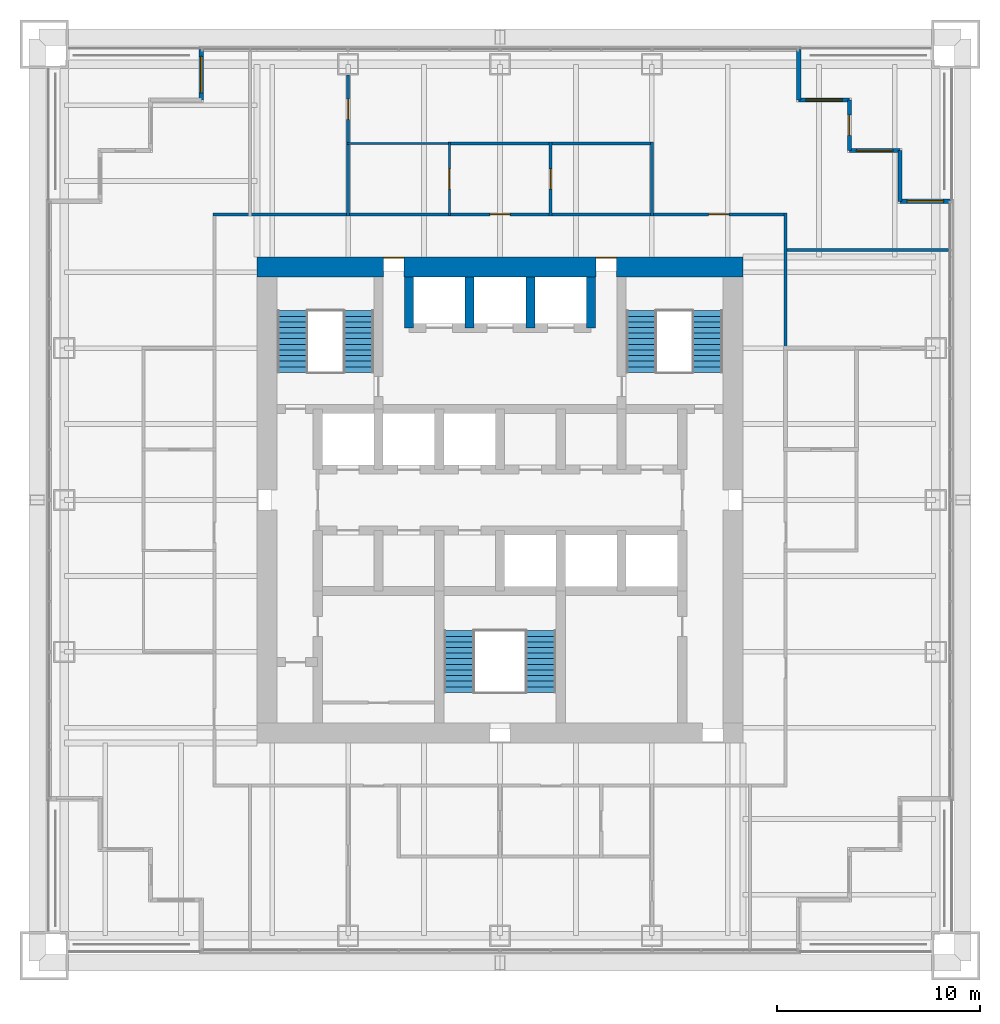
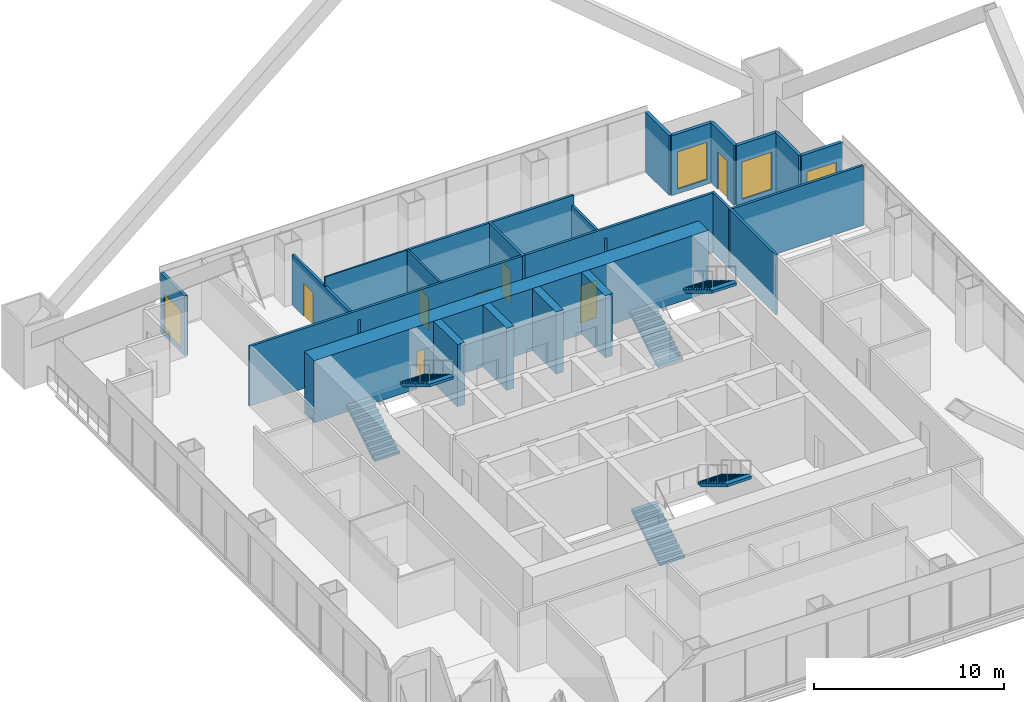
# One storey, part 17 of 19: 21 walls, 8 doors, 6 stair flights, 4 windows, 12 openings, 3 elements without a shape of their own.
"""IFC4 building model written with IfcOpenShell, lengths in metres."""

from ifc_helpers import new_model, si_unit, direction, frame, frame_2d, origin, place, context, subcontext, project, spatial, polyline, rectangle, outline, extrude, material, layer, layer_set, type_object, element, fill, aggregate, save


model = new_model("IFC4")

# Units and contexts
model_context = context("Model", 3, precision=1e-05, world=origin(), true_north=direction((0.0, 1.0)))
body_context = subcontext(model_context, "Body", "Model", "MODEL_VIEW")
ifc_project = project(units=[si_unit("LENGTHUNIT", "METRE"), si_unit("AREAUNIT", "SQUARE_METRE"), si_unit("VOLUMEUNIT", "CUBIC_METRE"), si_unit("PLANEANGLEUNIT", "RADIAN"), si_unit("MASSUNIT", "GRAM", prefix="KILO")], contexts=[model_context])

# Site, building, storey
site_placement = place(None, origin())
site = spatial("IfcSite", under=ifc_project, at=site_placement, CompositionType="ELEMENT")
building_placement = place(site_placement, origin())
building = spatial("IfcBuilding", under=site, at=building_placement, Name="Tarangal Relay Tower", CompositionType="ELEMENT")
storey_placement = place(building_placement, frame((0.0, 0.0, 213.89990234375)))
storey = spatial("IfcBuildingStorey", under=building, at=storey_placement, Name="L45", CompositionType="ELEMENT", Elevation=213.89990234375)

# Walls
ifc_material_1 = material(Name="Concrete fc' 60 MPa", Category="concrete")
ifc_layer_1 = layer(ifc_material_1, 0.449951171875)
ifc_layer_set_1 = layer_set([ifc_layer_1], Name="Core inner wall 450")
wall_type_1 = type_object("IfcWallType", Name="Core inner wall 450", PredefinedType="SHEAR", material=ifc_layer_set_1)
for number, where, z_axis, x_axis, name in (
    (1, (-4.5, 8.5, 0.0), (0.0, 0.0, 1.0), (0.0, 1.0, 0.0), "Core wall XM45 L45"),
    (2, (4.5, 8.5, 0.0), (0.0, 0.0, 1.0), (0.0, 1.0, 0.0), "Core wall X45 L45"),
    (3, (-1.5, 8.5, 0.0), (0.0, 0.0, 1.0), (0.0, 1.0, 0.0), "Core wall XM15 L45"),
    (4, (1.5, 8.5, 0.0), (0.0, 0.0, 1.0), (0.0, 1.0, 0.0), "Core wall X15 L45"),
):
    element("IfcWall", number, at=place(storey_placement, frame(where, z_axis=z_axis, x_axis=x_axis)), inside=storey, type_object=wall_type_1, Name=name, PredefinedType="SHEAR", context=body_context, shape_type="SweptSolid", body=[
        extrude(rectangle(XDim=2.5, YDim=0.449951171875, at=frame_2d((1.25, 0.0))), origin(), (0.0, 0.0, 1.0), 4.0),
    ])

# Wall, openings, doors
ifc_layer_2 = layer(ifc_material_1, 1.0)
ifc_layer_set_2 = layer_set([ifc_layer_2], Name="Core wall 1000")
wall_type_2 = type_object("IfcWallType", Name="Core wall 1000", PredefinedType="SHEAR", material=ifc_layer_set_2)
wall_1_placement = place(storey_placement, frame((-12.0, 11.5, 0.0), z_axis=(0.0, 0.0, 1.0), x_axis=(1.0, 0.0, 0.0)))
wall_1 = element("IfcWall", 5, at=wall_1_placement, inside=storey, type_object=wall_type_2, Name="Core wall N L45", PredefinedType="SHEAR", context=body_context, shape_type="SweptSolid", body=[
    extrude(rectangle(XDim=24.0, YDim=1.0, at=frame_2d((12.0, 0.0))), origin(), (0.0, 0.0, 1.0), 4.0),
])
opening_1_placement = place(wall_1_placement, frame((6.25, 0.0, 0.0)))
opening_1 = element("IfcOpeningElement", 6, at=opening_1_placement, cuts=wall_1, Name="Opening FD3", PredefinedType="OPENING", context=body_context, shape_type="SweptSolid", body=[
    extrude(rectangle(XDim=1.0, YDim=2.39990234375, at=frame_2d((0.5, 1.199951171875))), frame((0.0, 0.510009765625, 0.0), z_axis=(0.0, -1.0, 0.0), x_axis=(1.0, 0.0, 0.0)), (0.0, 0.0, 1.0), 1.02001953125),
])
opening_2_placement = place(wall_1_placement, frame((16.75, 0.0, 0.0)))
opening_2 = element("IfcOpeningElement", 7, at=opening_2_placement, cuts=wall_1, Name="Opening FD3", PredefinedType="OPENING", context=body_context, shape_type="SweptSolid", body=[
    extrude(rectangle(XDim=1.0, YDim=2.39990234375, at=frame_2d((0.5, 1.199951171875))), frame((0.0, 0.510009765625, 0.0), z_axis=(0.0, -1.0, 0.0), x_axis=(1.0, 0.0, 0.0)), (0.0, 0.0, 1.0), 1.02001953125),
])
ifc_material_2 = material(Name="Steel door with hardwood frame", Category="steel")
door_type_1 = type_object("IfcDoorType", Name="Fire door 1000 x 2400 core entry", OperationType="SINGLE_SWING_RIGHT", PredefinedType="DOOR", material=ifc_material_2)
door_1_placement = place(opening_1_placement, origin())
door_1 = element("IfcDoor", 8, at=door_1_placement, inside=storey, type_object=door_type_1, Name="Core entry door north west L45", OperationType="SINGLE_SWING_RIGHT", OverallHeight=2.39990234375, OverallWidth=1.0, PredefinedType="DOOR", context=body_context, shape_type="SweptSolid", body=[
    extrude(rectangle(XDim=1.0, YDim=2.39990234375, at=frame_2d((0.5, 1.199951171875))), frame((0.0, 0.48486328125, 0.0), z_axis=(0.0, -1.0, 0.0), x_axis=(1.0, 0.0, 0.0)), (0.0, 0.0, 1.0), 0.050048828125),
])
fill(opening_1, door_1)
door_2_placement = place(opening_2_placement, origin())
door_2 = element("IfcDoor", 9, at=door_2_placement, inside=storey, type_object=door_type_1, Name="Core entry door north east L45", OperationType="SINGLE_SWING_RIGHT", OverallHeight=2.39990234375, OverallWidth=1.0, PredefinedType="DOOR", context=body_context, shape_type="SweptSolid", body=[
    extrude(rectangle(XDim=1.0, YDim=2.39990234375, at=frame_2d((0.5, 1.199951171875))), frame((0.0, 0.48486328125, 0.0), z_axis=(0.0, -1.0, 0.0), x_axis=(1.0, 0.0, 0.0)), (0.0, 0.0, 1.0), 0.050048828125),
])
fill(opening_2, door_2)

# Wall
ifc_material_3 = material(Name="Black metal clad insulated wall", Category="steel")
ifc_layer_3 = layer(ifc_material_3, 0.199951171875)
ifc_layer_set_3 = layer_set([ifc_layer_3], Name="Corner wall metal clad 200")
wall_type_3 = type_object("IfcWallType", Name="Corner wall metal clad 200", PredefinedType="SOLIDWALL", material=ifc_layer_set_3)
wall_2_placement = place(storey_placement, frame((14.75, 22.25, 0.0), z_axis=(0.0, 0.0, 1.0), x_axis=(0.0, -1.0, 0.0)))
element("IfcWall", 10, at=wall_2_placement, inside=storey, type_object=wall_type_3, Name="Facade wall N facade L45", PredefinedType="SOLIDWALL", context=body_context, shape_type="SweptSolid", body=[
    extrude(rectangle(XDim=2.5, YDim=0.199951171875, at=frame_2d((1.25, 0.0))), origin(), (0.0, 0.0, 1.0), 3.85009765625),
])

# Wall, opening, window
wall_3_placement = place(storey_placement, frame((14.75, 19.75, 0.0), z_axis=(0.0, 0.0, 1.0), x_axis=(1.0, 0.0, 0.0)))
wall_3 = element("IfcWall", 11, at=wall_3_placement, inside=storey, type_object=wall_type_3, Name="Facade wall N facade L45", PredefinedType="SOLIDWALL", context=body_context, shape_type="SweptSolid", body=[
    extrude(rectangle(XDim=2.5, YDim=0.199951171875, at=frame_2d((1.25, 0.0))), origin(), (0.0, 0.0, 1.0), 3.85009765625),
])
opening_3_placement = place(wall_3_placement, frame((0.35009765625, 0.0, 0.300048828125)))
opening_3 = element("IfcOpeningElement", 12, at=opening_3_placement, cuts=wall_3, Name="Opening WN2", PredefinedType="OPENING", context=body_context, shape_type="SweptSolid", body=[
    extrude(rectangle(XDim=1.800048828125, YDim=2.39990234375, at=frame_2d((0.89990234375, 1.199951171875))), frame((0.0, 0.10986328125, 0.0), z_axis=(0.0, -1.0, 0.0), x_axis=(1.0, 0.0, 0.0)), (0.0, 0.0, 1.0), 0.219970703125),
])
ifc_material_4 = material(Name="Dark tinted double glazing in black aluminium frame", Category="aluminium")
window_type = type_object("IfcWindowType", Name="Corner window 1800 x 2400", PartitioningType="SINGLE_PANEL", PredefinedType="WINDOW", material=ifc_material_4)
window_1_placement = place(opening_3_placement, origin())
window_1 = element("IfcWindow", 13, at=window_1_placement, inside=storey, type_object=window_type, Name="Corner window WN2 N facade L45", OverallHeight=2.39990234375, OverallWidth=1.800048828125, PartitioningType="SINGLE_PANEL", PredefinedType="WINDOW", context=body_context, shape_type="SweptSolid", body=[
    extrude(rectangle(XDim=1.800048828125, YDim=2.39990234375, at=frame_2d((0.89990234375, 1.199951171875))), frame((0.0, 0.030029296875, 0.0), z_axis=(0.0, -1.0, 0.0), x_axis=(1.0, 0.0, 0.0)), (0.0, 0.0, 1.0), 0.06005859375),
])
fill(opening_3, window_1)

# Wall, opening, door
wall_4_placement = place(storey_placement, frame((17.25, 19.75, 0.0), z_axis=(0.0, 0.0, 1.0), x_axis=(0.0, -1.0, 0.0)))
wall_4 = element("IfcWall", 14, at=wall_4_placement, inside=storey, type_object=wall_type_3, Name="Facade wall N facade L45", PredefinedType="SOLIDWALL", context=body_context, shape_type="SweptSolid", body=[
    extrude(rectangle(XDim=2.5, YDim=0.199951171875, at=frame_2d((1.25, 0.0))), origin(), (0.0, 0.0, 1.0), 3.85009765625),
])
opening_4_placement = place(wall_4_placement, frame((0.75, 0.0, 0.0)))
opening_4 = element("IfcOpeningElement", 15, at=opening_4_placement, cuts=wall_4, Name="Opening TD1", PredefinedType="OPENING", context=body_context, shape_type="SweptSolid", body=[
    extrude(rectangle(XDim=1.0, YDim=2.39990234375, at=frame_2d((0.5, 1.199951171875))), frame((0.0, 0.10986328125, 0.0), z_axis=(0.0, -1.0, 0.0), x_axis=(1.0, 0.0, 0.0)), (0.0, 0.0, 1.0), 0.219970703125),
])
ifc_material_5 = material(Name="Aluminium glazed door", Category="aluminium")
door_type_2 = type_object("IfcDoorType", Name="Terrace door 1000 x 2400", OperationType="SINGLE_SWING_RIGHT", PredefinedType="DOOR", material=ifc_material_5)
door_3_placement = place(opening_4_placement, origin())
door_3 = element("IfcDoor", 16, at=door_3_placement, inside=storey, type_object=door_type_2, Name="Terrace door TD1 NE L45", OperationType="SINGLE_SWING_RIGHT", OverallHeight=2.39990234375, OverallWidth=1.0, PredefinedType="DOOR", context=body_context, shape_type="SweptSolid", body=[
    extrude(rectangle(XDim=1.0, YDim=2.39990234375, at=frame_2d((0.5, 1.199951171875))), frame((0.0, 0.02490234375, 0.0), z_axis=(0.0, -1.0, 0.0), x_axis=(1.0, 0.0, 0.0)), (0.0, 0.0, 1.0), 0.050048828125),
])
fill(opening_4, door_3)

# Wall, opening, window
wall_5_placement = place(storey_placement, frame((17.25, 17.25, 0.0), z_axis=(0.0, 0.0, 1.0), x_axis=(1.0, 0.0, 0.0)))
wall_5 = element("IfcWall", 17, at=wall_5_placement, inside=storey, type_object=wall_type_3, Name="Facade wall N facade L45", PredefinedType="SOLIDWALL", context=body_context, shape_type="SweptSolid", body=[
    extrude(rectangle(XDim=2.5, YDim=0.199951171875, at=frame_2d((1.25, 0.0))), origin(), (0.0, 0.0, 1.0), 3.85009765625),
])
opening_5_placement = place(wall_5_placement, frame((0.35009765625, 0.0, 0.300048828125)))
opening_5 = element("IfcOpeningElement", 18, at=opening_5_placement, cuts=wall_5, Name="Opening WN2", PredefinedType="OPENING", context=body_context, shape_type="SweptSolid", body=[
    extrude(rectangle(XDim=1.800048828125, YDim=2.39990234375, at=frame_2d((0.89990234375, 1.199951171875))), frame((0.0, 0.10986328125, 0.0), z_axis=(0.0, -1.0, 0.0), x_axis=(1.0, 0.0, 0.0)), (0.0, 0.0, 1.0), 0.219970703125),
])
window_2_placement = place(opening_5_placement, origin())
window_2 = element("IfcWindow", 19, at=window_2_placement, inside=storey, type_object=window_type, Name="Corner window WN2 N facade L45", OverallHeight=2.39990234375, OverallWidth=1.800048828125, PartitioningType="SINGLE_PANEL", PredefinedType="WINDOW", context=body_context, shape_type="SweptSolid", body=[
    extrude(rectangle(XDim=1.800048828125, YDim=2.39990234375, at=frame_2d((0.89990234375, 1.199951171875))), frame((0.0, 0.030029296875, 0.0), z_axis=(0.0, -1.0, 0.0), x_axis=(1.0, 0.0, 0.0)), (0.0, 0.0, 1.0), 0.06005859375),
])
fill(opening_5, window_2)

# Wall
wall_6_placement = place(storey_placement, frame((19.75, 17.25, 0.0), z_axis=(0.0, 0.0, 1.0), x_axis=(0.0, -1.0, 0.0)))
element("IfcWall", 20, at=wall_6_placement, inside=storey, type_object=wall_type_3, Name="Facade wall N facade L45", PredefinedType="SOLIDWALL", context=body_context, shape_type="SweptSolid", body=[
    extrude(rectangle(XDim=2.5, YDim=0.199951171875, at=frame_2d((1.25, 0.0))), origin(), (0.0, 0.0, 1.0), 3.85009765625),
])

# Wall, opening, window
wall_7_placement = place(storey_placement, frame((19.75, 14.75, 0.0), z_axis=(0.0, 0.0, 1.0), x_axis=(1.0, 0.0, 0.0)))
wall_7 = element("IfcWall", 21, at=wall_7_placement, inside=storey, type_object=wall_type_3, Name="Facade wall N facade L45", PredefinedType="SOLIDWALL", context=body_context, shape_type="SweptSolid", body=[
    extrude(rectangle(XDim=2.5, YDim=0.199951171875, at=frame_2d((1.25, 0.0))), origin(), (0.0, 0.0, 1.0), 3.85009765625),
])
opening_6_placement = place(wall_7_placement, frame((0.35009765625, 0.0, 0.300048828125)))
opening_6 = element("IfcOpeningElement", 22, at=opening_6_placement, cuts=wall_7, Name="Opening WN2", PredefinedType="OPENING", context=body_context, shape_type="SweptSolid", body=[
    extrude(rectangle(XDim=1.800048828125, YDim=2.39990234375, at=frame_2d((0.89990234375, 1.199951171875))), frame((0.0, 0.10986328125, 0.0), z_axis=(0.0, -1.0, 0.0), x_axis=(1.0, 0.0, 0.0)), (0.0, 0.0, 1.0), 0.219970703125),
])
window_3_placement = place(opening_6_placement, origin())
window_3 = element("IfcWindow", 23, at=window_3_placement, inside=storey, type_object=window_type, Name="Corner window WN2 N facade L45", OverallHeight=2.39990234375, OverallWidth=1.800048828125, PartitioningType="SINGLE_PANEL", PredefinedType="WINDOW", context=body_context, shape_type="SweptSolid", body=[
    extrude(rectangle(XDim=1.800048828125, YDim=2.39990234375, at=frame_2d((0.89990234375, 1.199951171875))), frame((0.0, 0.030029296875, 0.0), z_axis=(0.0, -1.0, 0.0), x_axis=(1.0, 0.0, 0.0)), (0.0, 0.0, 1.0), 0.06005859375),
])
fill(opening_6, window_3)

wall_8_placement = place(storey_placement, frame((-14.75, 19.75, 0.0), z_axis=(0.0, 0.0, 1.0), x_axis=(0.0, 1.0, 0.0)))
wall_8 = element("IfcWall", 24, at=wall_8_placement, inside=storey, type_object=wall_type_3, Name="Facade wall W facade L45", PredefinedType="SOLIDWALL", context=body_context, shape_type="SweptSolid", body=[
    extrude(rectangle(XDim=2.5, YDim=0.199951171875, at=frame_2d((1.25, 0.0))), origin(), (0.0, 0.0, 1.0), 3.85009765625),
])
opening_7_placement = place(wall_8_placement, frame((0.35009765625, 0.0, 0.300048828125)))
opening_7 = element("IfcOpeningElement", 25, at=opening_7_placement, cuts=wall_8, Name="Opening WN2", PredefinedType="OPENING", context=body_context, shape_type="SweptSolid", body=[
    extrude(rectangle(XDim=1.800048828125, YDim=2.39990234375, at=frame_2d((0.89990234375, 1.199951171875))), frame((0.0, 0.10986328125, 0.0), z_axis=(0.0, -1.0, 0.0), x_axis=(1.0, 0.0, 0.0)), (0.0, 0.0, 1.0), 0.219970703125),
])
window_4_placement = place(opening_7_placement, origin())
window_4 = element("IfcWindow", 26, at=window_4_placement, inside=storey, type_object=window_type, Name="Corner window WN2 W facade L45", OverallHeight=2.39990234375, OverallWidth=1.800048828125, PartitioningType="SINGLE_PANEL", PredefinedType="WINDOW", context=body_context, shape_type="SweptSolid", body=[
    extrude(rectangle(XDim=1.800048828125, YDim=2.39990234375, at=frame_2d((0.89990234375, 1.199951171875))), frame((0.0, 0.030029296875, 0.0), z_axis=(0.0, -1.0, 0.0), x_axis=(1.0, 0.0, 0.0)), (0.0, 0.0, 1.0), 0.06005859375),
])
fill(opening_7, window_4)

# Wall
ifc_material_6 = material(Name="Double glazed aluminium framed partition", Category="aluminium")
ifc_layer_4 = layer(ifc_material_6, 0.10009765625)
ifc_layer_set_4 = layer_set([ifc_layer_4], Name="Glazed partition 100")
wall_type_4 = type_object("IfcWallType", Name="Glazed partition 100", PredefinedType="PARTITIONING", material=ifc_layer_set_4)
wall_9_placement = place(storey_placement, frame((-7.550048828125, 17.60009765625, 0.0), z_axis=(0.0, 0.0, 1.0), x_axis=(1.0, 0.0, 0.0)))
element("IfcWall", 27, at=wall_9_placement, inside=storey, type_object=wall_type_4, Name="Partition PT3 L45", PredefinedType="PARTITIONING", context=body_context, shape_type="SweptSolid", body=[
    extrude(rectangle(XDim=5.10009765625, YDim=0.10009765625, at=frame_2d((2.550048828125, 0.0))), origin(), (0.0, 0.0, 1.0), 3.85009765625),
])

# Wall, opening, door
wall_10_placement = place(storey_placement, frame((-2.5, 14.050048828125, 0.0), z_axis=(0.0, 0.0, 1.0), x_axis=(0.0, 1.0, 0.0)))
wall_10 = element("IfcWall", 28, at=wall_10_placement, inside=storey, type_object=wall_type_4, Name="Partition PT3 L45", PredefinedType="PARTITIONING", context=body_context, shape_type="SweptSolid", body=[
    extrude(rectangle(XDim=3.599853515625, YDim=0.10009765625, at=frame_2d((1.7998046875, 0.0))), origin(), (0.0, 0.0, 1.0), 3.85009765625),
])
opening_8_placement = place(wall_10_placement, frame((1.300048828125, 0.0, 0.0)))
opening_8 = element("IfcOpeningElement", 29, at=opening_8_placement, cuts=wall_10, Name="Opening D3", PredefinedType="OPENING", context=body_context, shape_type="SweptSolid", body=[
    extrude(rectangle(XDim=1.0, YDim=2.10009765625, at=frame_2d((0.5, 1.050048828125))), frame((0.0, 0.06005859375, 0.0), z_axis=(0.0, -1.0, 0.0), x_axis=(1.0, 0.0, 0.0)), (0.0, 0.0, 1.0), 0.1201171875),
])
ifc_material_7 = material(Name="Frameless glass door", Category="glass")
door_type_3 = type_object("IfcDoorType", Name="Glazed door 1000 x 2100", OperationType="SINGLE_SWING_LEFT", PredefinedType="DOOR", material=ifc_material_7)
door_4_placement = place(opening_8_placement, origin())
door_4 = element("IfcDoor", 30, at=door_4_placement, inside=storey, type_object=door_type_3, Name="Door D3 to meeting room L45-03", OperationType="SINGLE_SWING_LEFT", OverallHeight=2.10009765625, OverallWidth=1.0, PredefinedType="DOOR", context=body_context, shape_type="SweptSolid", body=[
    extrude(rectangle(XDim=1.0, YDim=2.10009765625, at=frame_2d((0.5, 1.050048828125))), frame((0.0, 0.02490234375, 0.0), z_axis=(0.0, -1.0, 0.0), x_axis=(1.0, 0.0, 0.0)), (0.0, 0.0, 1.0), 0.050048828125),
])
fill(opening_8, door_4)

# Wall
ifc_material_8 = material(Name="Gypsum board on steel studs", Category="steel")
ifc_layer_5 = layer(ifc_material_8, 0.14990234375)
ifc_layer_set_5 = layer_set([ifc_layer_5], Name="Partition 150")
wall_type_5 = type_object("IfcWallType", Name="Partition 150", PredefinedType="PARTITIONING", material=ifc_layer_set_5)
wall_11_placement = place(storey_placement, frame((14.02490234375, 12.3330078125, 0.0), z_axis=(0.0, 0.0, 1.0), x_axis=(1.0, 0.0, 0.0)))
element("IfcWall", 31, at=wall_11_placement, inside=storey, type_object=wall_type_5, Name="Partition PT1 L45", PredefinedType="PARTITIONING", context=body_context, shape_type="SweptSolid", body=[
    extrude(rectangle(XDim=8.125, YDim=0.14990234375, at=frame_2d((4.0625, 0.0))), origin(), (0.0, 0.0, 1.0), 3.85009765625),
])

# Wall, openings, doors
wall_12_placement = place(storey_placement, frame((-14.175048828125, 14.10009765625, 0.0), z_axis=(0.0, 0.0, 1.0), x_axis=(1.0, 0.0, 0.0)))
wall_12 = element("IfcWall", 32, at=wall_12_placement, inside=storey, type_object=wall_type_5, Name="Partition PT1 L45", PredefinedType="PARTITIONING", context=body_context, shape_type="SweptSolid", body=[
    extrude(rectangle(XDim=28.35009765625, YDim=0.14990234375, at=frame_2d((14.175048828125, 0.0))), origin(), (0.0, 0.0, 1.0), 3.85009765625),
])
opening_9_placement = place(wall_12_placement, frame((13.675048828125, 0.0, 0.0)))
opening_9 = element("IfcOpeningElement", 33, at=opening_9_placement, cuts=wall_12, Name="Opening SD1", PredefinedType="OPENING", context=body_context, shape_type="SweptSolid", body=[
    extrude(rectangle(XDim=1.0, YDim=2.39990234375, at=frame_2d((0.5, 1.199951171875))), frame((0.0, 0.0849609375, 0.0), z_axis=(0.0, -1.0, 0.0), x_axis=(1.0, 0.0, 0.0)), (0.0, 0.0, 1.0), 0.169921875),
])
opening_10_placement = place(wall_12_placement, frame((24.47509765625, 0.0, 0.0)))
opening_10 = element("IfcOpeningElement", 34, at=opening_10_placement, cuts=wall_12, Name="Opening SD1", PredefinedType="OPENING", context=body_context, shape_type="SweptSolid", body=[
    extrude(rectangle(XDim=1.0, YDim=2.39990234375, at=frame_2d((0.5, 1.199951171875))), frame((0.0, 0.0849609375, 0.0), z_axis=(0.0, -1.0, 0.0), x_axis=(1.0, 0.0, 0.0)), (0.0, 0.0, 1.0), 0.169921875),
])
door_type_4 = type_object("IfcDoorType", Name="Suite entrance door 1000 x 2400", OperationType="SINGLE_SWING_RIGHT", PredefinedType="DOOR", material=ifc_material_2)
door_5_placement = place(opening_9_placement, origin())
door_5 = element("IfcDoor", 35, at=door_5_placement, inside=storey, type_object=door_type_4, Name="Door SD1 to reception L45-04", OperationType="SINGLE_SWING_RIGHT", OverallHeight=2.39990234375, OverallWidth=1.0, PredefinedType="DOOR", context=body_context, shape_type="SweptSolid", body=[
    extrude(rectangle(XDim=1.0, YDim=2.39990234375, at=frame_2d((0.5, 1.199951171875))), frame((0.0, 0.02490234375, 0.0), z_axis=(0.0, -1.0, 0.0), x_axis=(1.0, 0.0, 0.0)), (0.0, 0.0, 1.0), 0.050048828125),
])
fill(opening_9, door_5)
door_6_placement = place(opening_10_placement, origin())
door_6 = element("IfcDoor", 36, at=door_6_placement, inside=storey, type_object=door_type_4, Name="Door SD1 to open plan office L45-18", OperationType="SINGLE_SWING_RIGHT", OverallHeight=2.39990234375, OverallWidth=1.0, PredefinedType="DOOR", context=body_context, shape_type="SweptSolid", body=[
    extrude(rectangle(XDim=1.0, YDim=2.39990234375, at=frame_2d((0.5, 1.199951171875))), frame((0.0, 0.02490234375, 0.0), z_axis=(0.0, -1.0, 0.0), x_axis=(1.0, 0.0, 0.0)), (0.0, 0.0, 1.0), 0.050048828125),
])
fill(opening_10, door_6)

# Wall
wall_13_placement = place(storey_placement, frame((-2.574951171875, 17.60009765625, 0.0), z_axis=(0.0, 0.0, 1.0), x_axis=(1.0, 0.0, 0.0)))
element("IfcWall", 37, at=wall_13_placement, inside=storey, type_object=wall_type_5, Name="Partition PT1 L45", PredefinedType="PARTITIONING", context=body_context, shape_type="SweptSolid", body=[
    extrude(rectangle(XDim=10.14990234375, YDim=0.14990234375, at=frame_2d((5.074951171875, 0.0))), origin(), (0.0, 0.0, 1.0), 3.85009765625),
])

# Wall, opening, door
wall_14_placement = place(storey_placement, frame((-7.5, 14.02490234375, 0.0), z_axis=(0.0, 0.0, 1.0), x_axis=(0.0, 1.0, 0.0)))
wall_14 = element("IfcWall", 38, at=wall_14_placement, inside=storey, type_object=wall_type_5, Name="Partition PT1 L45", PredefinedType="PARTITIONING", context=body_context, shape_type="SweptSolid", body=[
    extrude(rectangle(XDim=6.965087890625, YDim=0.14990234375, at=frame_2d((3.482421875, 0.0))), origin(), (0.0, 0.0, 1.0), 3.238037109375),
])
opening_11_placement = place(wall_14_placement, frame((4.77001953125, 0.0, 0.0)))
opening_11 = element("IfcOpeningElement", 39, at=opening_11_placement, cuts=wall_14, Name="Opening D2", PredefinedType="OPENING", context=body_context, shape_type="SweptSolid", body=[
    extrude(rectangle(XDim=1.0, YDim=2.10009765625, at=frame_2d((0.5, 1.050048828125))), frame((0.0, 0.0849609375, 0.0), z_axis=(0.0, -1.0, 0.0), x_axis=(1.0, 0.0, 0.0)), (0.0, 0.0, 1.0), 0.169921875),
])
ifc_material_9 = material(Name="Hardwood door", Category="wood")
door_type_5 = type_object("IfcDoorType", Name="Door 1000 x 2100", OperationType="SINGLE_SWING_LEFT", PredefinedType="DOOR", material=ifc_material_9)
door_7_placement = place(opening_11_placement, origin())
door_7 = element("IfcDoor", 40, at=door_7_placement, inside=storey, type_object=door_type_5, Name="Door D2 to executive office L45-02", OperationType="SINGLE_SWING_LEFT", OverallHeight=2.10009765625, OverallWidth=1.0, PredefinedType="DOOR", context=body_context, shape_type="SweptSolid", body=[
    extrude(rectangle(XDim=1.0, YDim=2.10009765625, at=frame_2d((0.5, 1.050048828125))), frame((0.0, 0.02490234375, 0.0), z_axis=(0.0, -1.0, 0.0), x_axis=(1.0, 0.0, 0.0)), (0.0, 0.0, 1.0), 0.050048828125),
])
fill(opening_11, door_7)

wall_15_placement = place(storey_placement, frame((2.5, 14.02490234375, 0.0), z_axis=(0.0, 0.0, 1.0), x_axis=(0.0, 1.0, 0.0)))
wall_15 = element("IfcWall", 41, at=wall_15_placement, inside=storey, type_object=wall_type_5, Name="Partition PT1 L45", PredefinedType="PARTITIONING", context=body_context, shape_type="SweptSolid", body=[
    extrude(rectangle(XDim=3.650146484375, YDim=0.14990234375, at=frame_2d((1.8251953125, 0.0))), origin(), (0.0, 0.0, 1.0), 3.85009765625),
])
opening_12_placement = place(wall_15_placement, frame((1.324951171875, 0.0, 0.0)))
opening_12 = element("IfcOpeningElement", 42, at=opening_12_placement, cuts=wall_15, Name="Opening D2", PredefinedType="OPENING", context=body_context, shape_type="SweptSolid", body=[
    extrude(rectangle(XDim=1.0, YDim=2.10009765625, at=frame_2d((0.5, 1.050048828125))), frame((0.0, 0.0849609375, 0.0), z_axis=(0.0, -1.0, 0.0), x_axis=(1.0, 0.0, 0.0)), (0.0, 0.0, 1.0), 0.169921875),
])
door_8_placement = place(opening_12_placement, origin())
door_8 = element("IfcDoor", 43, at=door_8_placement, inside=storey, type_object=door_type_5, Name="Door D2 to tea pantry L45-05", OperationType="SINGLE_SWING_LEFT", OverallHeight=2.10009765625, OverallWidth=1.0, PredefinedType="DOOR", context=body_context, shape_type="SweptSolid", body=[
    extrude(rectangle(XDim=1.0, YDim=2.10009765625, at=frame_2d((0.5, 1.050048828125))), frame((0.0, 0.02490234375, 0.0), z_axis=(0.0, -1.0, 0.0), x_axis=(1.0, 0.0, 0.0)), (0.0, 0.0, 1.0), 0.050048828125),
])
fill(opening_12, door_8)

# Walls
wall_16_placement = place(storey_placement, frame((7.5, 14.02490234375, 0.0), z_axis=(0.0, 0.0, 1.0), x_axis=(0.0, 1.0, 0.0)))
element("IfcWall", 44, at=wall_16_placement, inside=storey, type_object=wall_type_5, Name="Partition PT1 L45", PredefinedType="PARTITIONING", context=body_context, shape_type="SweptSolid", body=[
    extrude(rectangle(XDim=3.650146484375, YDim=0.14990234375, at=frame_2d((1.8251953125, 0.0))), origin(), (0.0, 0.0, 1.0), 3.238037109375),
])
wall_17_placement = place(storey_placement, frame((14.10009765625, 7.425048828125, 0.0), z_axis=(0.0, 0.0, 1.0), x_axis=(0.0, 1.0, 0.0)))
element("IfcWall", 45, at=wall_17_placement, inside=storey, type_object=wall_type_5, Name="Partition PT1 L45", PredefinedType="PARTITIONING", context=body_context, shape_type="SweptSolid", body=[
    extrude(rectangle(XDim=6.75, YDim=0.14990234375, at=frame_2d((3.375, 0.0))), origin(), (0.0, 0.0, 1.0), 3.85009765625),
])

# Stair, stair flights
ifc_material_10 = material(Name="Steel ASTM A992 stair flight", Category="steel")
stair_type = type_object("IfcStairType", Name="Core stair 1500", PredefinedType="HALF_TURN_STAIR", material=ifc_material_10)
stair_1_placement = place(storey_placement, origin())
stair_1 = element("IfcStair", 46, at=stair_1_placement, inside=storey, type_object=stair_type, Name="Stair ST-A L45", PredefinedType="HALF_TURN_STAIR")
stair_flight_type = type_object("IfcStairFlightType", Name="Steel stair flight 1500, 12 risers 167 x 277", PredefinedType="STRAIGHT", material=ifc_material_10)
stair_flight_1_placement = place(storey_placement, frame((-10.25, 6.300048828125, 0.0), z_axis=(0.0, 0.0, 1.0), x_axis=(0.0, 1.0, 0.0)))
stair_flight_1 = element("IfcStairFlight", 47, at=stair_flight_1_placement, type_object=stair_flight_type, Name="ST-A flight 1", NumberOfRisers=12, NumberOfTreads=11, PredefinedType="STRAIGHT", RiserHeight=0.166666667, TreadLength=0.277, context=body_context, shape_type="SweptSolid", body=[
    extrude(outline(polyline([(0.0, 0.0), (0.0, 0.166748046875), (0.277099609375, 0.166748046875), (0.277099609375, 0.333251953125), (0.553955078125, 0.333251953125), (0.553955078125, 0.5), (0.8310546875, 0.5), (0.8310546875, 0.666748046875), (1.10791015625, 0.666748046875), (1.10791015625, 0.833251953125), (1.385009765625, 0.833251953125), (1.385009765625, 1.0), (1.662109375, 1.0), (1.662109375, 1.166748046875), (1.93896484375, 1.166748046875), (1.93896484375, 1.333251953125), (2.216064453125, 1.333251953125), (2.216064453125, 1.5), (2.492919921875, 1.5), (2.492919921875, 1.666748046875), (2.77001953125, 1.666748046875), (2.77001953125, 1.833251953125), (3.047119140625, 1.833251953125), (3.047119140625, 2.0), (3.047119140625, 1.658447265625), (0.290771484375, 0.0), (0.0, 0.0)])), frame((0.0, 0.75, 0.0), z_axis=(0.0, -1.0, 0.0), x_axis=(1.0, 0.0, 0.0)), (0.0, 0.0, 1.0), 1.5),
])
stair_flight_2_placement = place(storey_placement, frame((-6.97509765625, 9.346923828125, 2.0), z_axis=(0.0, 0.0, 1.0), x_axis=(0.0, -1.0, 0.0)))
stair_flight_2 = element("IfcStairFlight", 48, at=stair_flight_2_placement, type_object=stair_flight_type, Name="ST-A flight 2", NumberOfRisers=12, NumberOfTreads=11, PredefinedType="STRAIGHT", RiserHeight=0.166666667, TreadLength=0.277, context=body_context, shape_type="SweptSolid", body=[
    extrude(outline(polyline([(0.0, 0.0), (0.0, 0.166748046875), (0.277099609375, 0.166748046875), (0.277099609375, 0.333251953125), (0.553955078125, 0.333251953125), (0.553955078125, 0.5), (0.8310546875, 0.5), (0.8310546875, 0.666748046875), (1.10791015625, 0.666748046875), (1.10791015625, 0.833251953125), (1.385009765625, 0.833251953125), (1.385009765625, 1.0), (1.662109375, 1.0), (1.662109375, 1.166748046875), (1.93896484375, 1.166748046875), (1.93896484375, 1.333251953125), (2.216064453125, 1.333251953125), (2.216064453125, 1.5), (2.492919921875, 1.5), (2.492919921875, 1.666748046875), (2.77001953125, 1.666748046875), (2.77001953125, 1.833251953125), (3.047119140625, 1.833251953125), (3.047119140625, 2.0), (3.047119140625, 1.658447265625), (0.290771484375, 0.0), (0.0, 0.0)])), frame((0.0, 0.75, 0.0), z_axis=(0.0, -1.0, 0.0), x_axis=(1.0, 0.0, 0.0)), (0.0, 0.0, 1.0), 1.5),
])
aggregate(stair_1, [stair_flight_1, stair_flight_2])

stair_2_placement = place(storey_placement, origin())
stair_2 = element("IfcStair", 49, at=stair_2_placement, inside=storey, type_object=stair_type, Name="Stair ST-B L45", PredefinedType="HALF_TURN_STAIR")
stair_flight_3_placement = place(storey_placement, frame((6.97509765625, 6.300048828125, 0.0), z_axis=(0.0, 0.0, 1.0), x_axis=(0.0, 1.0, 0.0)))
stair_flight_3 = element("IfcStairFlight", 50, at=stair_flight_3_placement, type_object=stair_flight_type, Name="ST-B flight 1", NumberOfRisers=12, NumberOfTreads=11, PredefinedType="STRAIGHT", RiserHeight=0.166666667, TreadLength=0.277, context=body_context, shape_type="SweptSolid", body=[
    extrude(outline(polyline([(0.0, 0.0), (0.0, 0.166748046875), (0.277099609375, 0.166748046875), (0.277099609375, 0.333251953125), (0.553955078125, 0.333251953125), (0.553955078125, 0.5), (0.8310546875, 0.5), (0.8310546875, 0.666748046875), (1.10791015625, 0.666748046875), (1.10791015625, 0.833251953125), (1.385009765625, 0.833251953125), (1.385009765625, 1.0), (1.662109375, 1.0), (1.662109375, 1.166748046875), (1.93896484375, 1.166748046875), (1.93896484375, 1.333251953125), (2.216064453125, 1.333251953125), (2.216064453125, 1.5), (2.492919921875, 1.5), (2.492919921875, 1.666748046875), (2.77001953125, 1.666748046875), (2.77001953125, 1.833251953125), (3.047119140625, 1.833251953125), (3.047119140625, 2.0), (3.047119140625, 1.658447265625), (0.290771484375, 0.0), (0.0, 0.0)])), frame((0.0, 0.75, 0.0), z_axis=(0.0, -1.0, 0.0), x_axis=(1.0, 0.0, 0.0)), (0.0, 0.0, 1.0), 1.5),
])
stair_flight_4_placement = place(storey_placement, frame((10.25, 9.346923828125, 2.0), z_axis=(0.0, 0.0, 1.0), x_axis=(0.0, -1.0, 0.0)))
stair_flight_4 = element("IfcStairFlight", 51, at=stair_flight_4_placement, type_object=stair_flight_type, Name="ST-B flight 2", NumberOfRisers=12, NumberOfTreads=11, PredefinedType="STRAIGHT", RiserHeight=0.166666667, TreadLength=0.277, context=body_context, shape_type="SweptSolid", body=[
    extrude(outline(polyline([(0.0, 0.0), (0.0, 0.166748046875), (0.277099609375, 0.166748046875), (0.277099609375, 0.333251953125), (0.553955078125, 0.333251953125), (0.553955078125, 0.5), (0.8310546875, 0.5), (0.8310546875, 0.666748046875), (1.10791015625, 0.666748046875), (1.10791015625, 0.833251953125), (1.385009765625, 0.833251953125), (1.385009765625, 1.0), (1.662109375, 1.0), (1.662109375, 1.166748046875), (1.93896484375, 1.166748046875), (1.93896484375, 1.333251953125), (2.216064453125, 1.333251953125), (2.216064453125, 1.5), (2.492919921875, 1.5), (2.492919921875, 1.666748046875), (2.77001953125, 1.666748046875), (2.77001953125, 1.833251953125), (3.047119140625, 1.833251953125), (3.047119140625, 2.0), (3.047119140625, 1.658447265625), (0.290771484375, 0.0), (0.0, 0.0)])), frame((0.0, 0.75, 0.0), z_axis=(0.0, -1.0, 0.0), x_axis=(1.0, 0.0, 0.0)), (0.0, 0.0, 1.0), 1.5),
])
aggregate(stair_2, [stair_flight_3, stair_flight_4])

stair_3_placement = place(storey_placement, origin())
stair_3 = element("IfcStair", 52, at=stair_3_placement, inside=storey, type_object=stair_type, Name="Stair ST-C L45", PredefinedType="HALF_TURN_STAIR")
stair_flight_5_placement = place(storey_placement, frame((-2.02490234375, -9.5, 0.0), z_axis=(0.0, 0.0, 1.0), x_axis=(0.0, 1.0, 0.0)))
stair_flight_5 = element("IfcStairFlight", 53, at=stair_flight_5_placement, type_object=stair_flight_type, Name="ST-C flight 1", NumberOfRisers=12, NumberOfTreads=11, PredefinedType="STRAIGHT", RiserHeight=0.166666667, TreadLength=0.277, context=body_context, shape_type="SweptSolid", body=[
    extrude(outline(polyline([(0.0, 0.0), (0.0, 0.166748046875), (0.277099609375, 0.166748046875), (0.277099609375, 0.333251953125), (0.553955078125, 0.333251953125), (0.553955078125, 0.5), (0.8310546875, 0.5), (0.8310546875, 0.666748046875), (1.10791015625, 0.666748046875), (1.10791015625, 0.833251953125), (1.385009765625, 0.833251953125), (1.385009765625, 1.0), (1.662109375, 1.0), (1.662109375, 1.166748046875), (1.93896484375, 1.166748046875), (1.93896484375, 1.333251953125), (2.216064453125, 1.333251953125), (2.216064453125, 1.5), (2.492919921875, 1.5), (2.492919921875, 1.666748046875), (2.77001953125, 1.666748046875), (2.77001953125, 1.833251953125), (3.047119140625, 1.833251953125), (3.047119140625, 2.0), (3.047119140625, 1.658447265625), (0.290771484375, 0.0), (0.0, 0.0)])), frame((0.0, 0.75, 0.0), z_axis=(0.0, -1.0, 0.0), x_axis=(1.0, 0.0, 0.0)), (0.0, 0.0, 1.0), 1.5),
])
stair_flight_6_placement = place(storey_placement, frame((2.02490234375, -6.452880859375, 2.0), z_axis=(0.0, 0.0, 1.0), x_axis=(0.0, -1.0, 0.0)))
stair_flight_6 = element("IfcStairFlight", 54, at=stair_flight_6_placement, type_object=stair_flight_type, Name="ST-C flight 2", NumberOfRisers=12, NumberOfTreads=11, PredefinedType="STRAIGHT", RiserHeight=0.166666667, TreadLength=0.277, context=body_context, shape_type="SweptSolid", body=[
    extrude(outline(polyline([(0.0, 0.0), (0.0, 0.166748046875), (0.277099609375, 0.166748046875), (0.277099609375, 0.333251953125), (0.553955078125, 0.333251953125), (0.553955078125, 0.5), (0.8310546875, 0.5), (0.8310546875, 0.666748046875), (1.10791015625, 0.666748046875), (1.10791015625, 0.833251953125), (1.385009765625, 0.833251953125), (1.385009765625, 1.0), (1.662109375, 1.0), (1.662109375, 1.166748046875), (1.93896484375, 1.166748046875), (1.93896484375, 1.333251953125), (2.216064453125, 1.333251953125), (2.216064453125, 1.5), (2.492919921875, 1.5), (2.492919921875, 1.666748046875), (2.77001953125, 1.666748046875), (2.77001953125, 1.833251953125), (3.047119140625, 1.833251953125), (3.047119140625, 2.0), (3.047119140625, 1.658447265625), (0.290771484375, 0.0), (0.0, 0.0)])), frame((0.0, 0.75, 0.0), z_axis=(0.0, -1.0, 0.0), x_axis=(1.0, 0.0, 0.0)), (0.0, 0.0, 1.0), 1.5),
])
aggregate(stair_3, [stair_flight_5, stair_flight_6])

save(model, "model.ifc")
